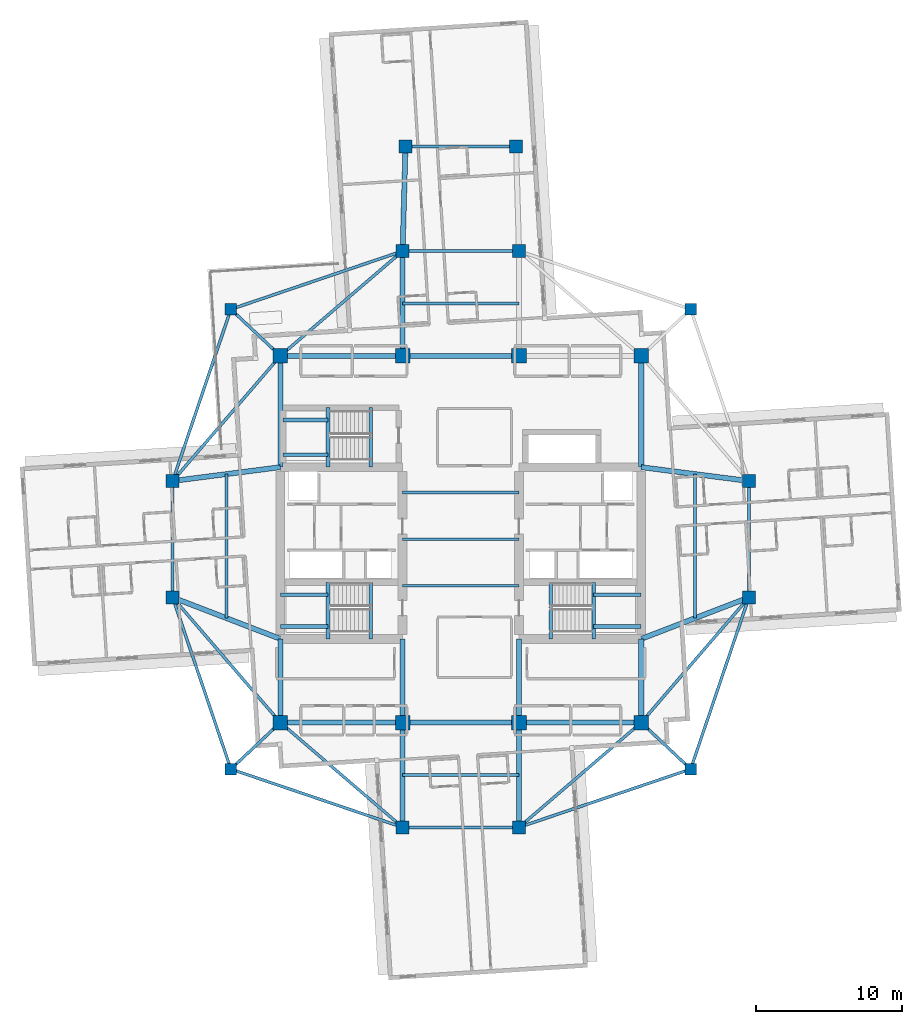
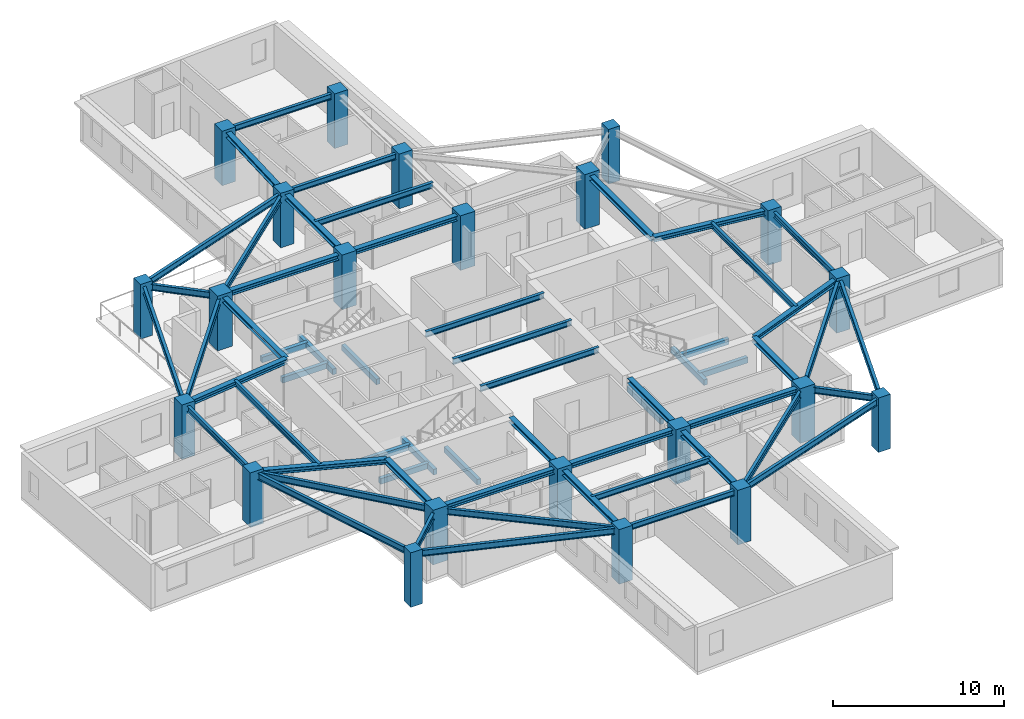
# One storey, part 1 of 13: 58 beams, 22 columns.
"""IFC4 building model written with IfcOpenShell, lengths in metres."""

from ifc_helpers import new_model, si_unit, direction, frame, origin, origin_2d, place, context, subcontext, project, spatial, rectangle, i_section, extrude, material, material_profile, profile_set, type_object, element, save


model = new_model("IFC4")

# Units and contexts
model_context = context("Model", 3, precision=1e-05, world=origin(), true_north=direction((0.0, 1.0)))
body_context = subcontext(model_context, "Body", "Model", "MODEL_VIEW")
ifc_project = project(units=[si_unit("LENGTHUNIT", "METRE"), si_unit("AREAUNIT", "SQUARE_METRE"), si_unit("VOLUMEUNIT", "CUBIC_METRE"), si_unit("PLANEANGLEUNIT", "RADIAN"), si_unit("MASSUNIT", "GRAM", prefix="KILO")], contexts=[model_context])

# Site, building, storey
site_placement = place(None, origin())
site = spatial("IfcSite", under=ifc_project, at=site_placement, CompositionType="ELEMENT")
building_placement = place(site_placement, origin())
building = spatial("IfcBuilding", under=site, at=building_placement, Name="Qingluan Cross Belvedere", CompositionType="ELEMENT")
storey_placement = place(building_placement, frame((0.0, 0.0, 201.300048828125)))
storey = spatial("IfcBuildingStorey", under=building, at=storey_placement, Name="L50", CompositionType="ELEMENT", Elevation=201.300048828125)

# Columns
ifc_material_1 = material(Name="Concrete C50", Category="concrete")
ifc_material_profile_1 = material_profile(ifc_material_1, rectangle(XDim=1.0, YDim=1.0, at=origin_2d()), Name="RC1000x1000")
ifc_profile_set_1 = profile_set([ifc_material_profile_1], Name="Concrete C50")
column_type_1 = type_object("IfcColumnType", Name="Column_RC1000x1000", PredefinedType="COLUMN", material=ifc_profile_set_1)
for number, where, z_axis, x_axis, name in (
    (1, (-12.39990234375, -12.60009765625, 0.0), (0.0, 0.0, 1.0), (1.0, 0.0, 0.0), "Hub column L50-HC1"),
    (2, (12.39990234375, -12.60009765625, 0.0), (0.0, 0.0, 1.0), (1.0, 0.0, 0.0), "Hub column L50-HC2"),
    (3, (12.39990234375, 12.60009765625, 0.0), (0.0, 0.0, 1.0), (1.0, 0.0, 0.0), "Hub column L50-HC3"),
    (4, (-12.39990234375, 12.60009765625, 0.0), (0.0, 0.0, 1.0), (1.0, 0.0, 0.0), "Hub column L50-HC4"),
    (5, (-4.0, -12.60009765625, 0.0), (0.0, 0.0, 1.0), (1.0, 0.0, 0.0), "Hub column L50-HC5"),
    (6, (4.0, -12.60009765625, 0.0), (0.0, 0.0, 1.0), (1.0, 0.0, 0.0), "Hub column L50-HC6"),
    (7, (4.0, 12.60009765625, 0.0), (0.0, 0.0, 1.0), (1.0, 0.0, 0.0), "Hub column L50-HC7"),
    (8, (-4.0, 12.60009765625, 0.0), (0.0, 0.0, 1.0), (1.0, 0.0, 0.0), "Hub column L50-HC8"),
):
    element("IfcColumn", number, at=place(storey_placement, frame(where, z_axis=z_axis, x_axis=x_axis)), inside=storey, type_object=column_type_1, Name=name, PredefinedType="COLUMN", context=body_context, shape_type="SweptSolid", body=[
        extrude(rectangle(XDim=1.0, YDim=1.0, at=origin_2d()), origin(), (0.0, 0.0, 1.0), 3.89990234375),
    ])
ifc_material_2 = material(Name="Concrete C50", Category="concrete")
ifc_material_profile_2 = material_profile(ifc_material_2, rectangle(XDim=0.800048828125, YDim=0.800048828125, at=origin_2d()), Name="RC800x800")
ifc_profile_set_2 = profile_set([ifc_material_profile_2], Name="Concrete C50")
column_type_2 = type_object("IfcColumnType", Name="Column_RC800x800", PredefinedType="COLUMN", material=ifc_profile_set_2)
for number, where, z_axis, x_axis, name in (
    (9, (15.800048828125, 15.800048828125, 0.0), (0.0, 0.0, 1.0), (1.0, 0.0, 0.0), "Corner column L50-RNE"),
    (10, (-15.800048828125, 15.800048828125, 0.0), (0.0, 0.0, 1.0), (1.0, 0.0, 0.0), "Corner column L50-RNW"),
    (11, (-15.800048828125, -15.800048828125, 0.0), (0.0, 0.0, 1.0), (1.0, 0.0, 0.0), "Corner column L50-RSW"),
    (12, (15.800048828125, -15.800048828125, 0.0), (0.0, 0.0, 1.0), (1.0, 0.0, 0.0), "Corner column L50-RSE"),
):
    element("IfcColumn", number, at=place(storey_placement, frame(where, z_axis=z_axis, x_axis=x_axis)), inside=storey, type_object=column_type_2, Name=name, PredefinedType="COLUMN", context=body_context, shape_type="SweptSolid", body=[
        extrude(rectangle(XDim=0.800048828125, YDim=0.800048828125, at=origin_2d()), origin(), (0.0, 0.0, 1.0), 3.89990234375),
    ])
ifc_material_3 = material(Name="Concrete C50", Category="concrete")
ifc_material_profile_3 = material_profile(ifc_material_3, rectangle(XDim=0.89990234375, YDim=0.89990234375, at=origin_2d()), Name="RC900x900")
ifc_profile_set_3 = profile_set([ifc_material_profile_3], Name="Concrete C50")
column_type_3 = type_object("IfcColumnType", Name="Column_RC900x900", PredefinedType="COLUMN", material=ifc_profile_set_3)
for number, where, z_axis, x_axis, name in (
    (13, (19.800048828125, -4.0, 0.0), (0.0, 0.0, 1.0), (1.0, 0.0, 0.0), "Arm column L50-EIA"),
    (14, (19.800048828125, 4.0, 0.0), (0.0, 0.0, 1.0), (1.0, 0.0, 0.0), "Arm column L50-EIB"),
    (15, (-19.800048828125, -4.0, 0.0), (0.0, 0.0, 1.0), (1.0, 0.0, 0.0), "Arm column L50-WIA"),
    (16, (-19.800048828125, 4.0, 0.0), (0.0, 0.0, 1.0), (1.0, 0.0, 0.0), "Arm column L50-WIB"),
    (17, (-4.0, -19.800048828125, 0.0), (0.0, 0.0, 1.0), (1.0, 0.0, 0.0), "Arm column L50-SIA"),
    (18, (4.0, -19.800048828125, 0.0), (0.0, 0.0, 1.0), (1.0, 0.0, 0.0), "Arm column L50-SIB"),
    (19, (-4.0, 19.800048828125, 0.0), (0.0, 0.0, 1.0), (1.0, 0.0, 0.0), "Arm column L50-NIA"),
    (20, (4.0, 19.800048828125, 0.0), (0.0, 0.0, 1.0), (1.0, 0.0, 0.0), "Arm column L50-NIB"),
    (21, (-3.800048828125, 27.0, 0.0), (0.0, 0.0, 1.0), (1.0, 0.0, 0.0), "Arm column L50-NOA"),
    (22, (3.800048828125, 27.0, 0.0), (0.0, 0.0, 1.0), (1.0, 0.0, 0.0), "Arm column L50-NOB"),
):
    element("IfcColumn", number, at=place(storey_placement, frame(where, z_axis=z_axis, x_axis=x_axis)), inside=storey, type_object=column_type_3, Name=name, PredefinedType="COLUMN", context=body_context, shape_type="SweptSolid", body=[
        extrude(rectangle(XDim=0.89990234375, YDim=0.89990234375, at=origin_2d()), origin(), (0.0, 0.0, 1.0), 3.89990234375),
    ])

# Beams
ifc_material_4 = material(Name="Concrete C45", Category="concrete")
ifc_material_profile_4 = material_profile(ifc_material_4, rectangle(XDim=0.25, YDim=0.39990234375, at=origin_2d()), Name="RC250x400")
ifc_profile_set_4 = profile_set([ifc_material_profile_4], Name="Concrete C45")
beam_type_1 = type_object("IfcBeamType", Name="RC_Lintel_RC250x400", PredefinedType="LINTEL", material=ifc_profile_set_4)
for number, where, z_axis, x_axis, name in (
    (23, (-6.179931640625, -6.85009765625, -0.199951171875), (0.0, 1.0, 0.0), (-1.0, 0.0, 0.0), "Stair ST1 landing beam L50"),
    (24, (6.179931640625, -6.85009765625, -0.199951171875), (0.0, 1.0, 0.0), (-1.0, 0.0, 0.0), "Stair ST2 landing beam L50"),
):
    element("IfcBeam", number, at=place(storey_placement, frame(where, z_axis=z_axis, x_axis=x_axis)), inside=storey, type_object=beam_type_1, Name=name, PredefinedType="LINTEL", context=body_context, shape_type="SweptSolid", body=[
        extrude(rectangle(XDim=0.25, YDim=0.39990234375, at=origin_2d()), origin(), (0.0, 0.0, 1.0), 3.89013671875),
    ])
beam_1_placement = place(storey_placement, frame((-6.179931640625, 4.949951171875, -0.199951171875), z_axis=(0.0, 1.0, 0.0), x_axis=(-1.0, 0.0, 0.0)))
element("IfcBeam", 25, at=beam_1_placement, inside=storey, type_object=beam_type_1, Name="Stair ST3 landing beam L50", PredefinedType="LINTEL", context=body_context, shape_type="SweptSolid", body=[
    extrude(rectangle(XDim=0.25, YDim=0.39990234375, at=origin_2d()), origin(), (0.0, 0.0, 1.0), 4.090087890625),
])
beam_2_placement = place(storey_placement, frame((-9.1298828125, -6.85009765625, 1.550048828125), z_axis=(0.0, 1.0, 0.0), x_axis=(-1.0, 0.0, 0.0)))
element("IfcBeam", 26, at=beam_2_placement, inside=storey, type_object=beam_type_1, Name="Stair ST1 beam A L50", PredefinedType="LINTEL", context=body_context, shape_type="SweptSolid", body=[
    extrude(rectangle(XDim=0.25, YDim=0.39990234375, at=origin_2d()), origin(), (0.0, 0.0, 1.0), 3.89013671875),
])
for number, where, z_axis, x_axis, name in (
    (27, (-12.39990234375, -6.0, 1.550048828125), (1.0, 0.0, 0.0), (0.0, 1.0, 0.0), "Stair ST1 beam B L50"),
    (28, (-12.39990234375, -3.81005859375, 1.550048828125), (1.0, 0.0, 0.0), (0.0, 1.0, 0.0), "Stair ST1 beam C L50"),
):
    element("IfcBeam", number, at=place(storey_placement, frame(where, z_axis=z_axis, x_axis=x_axis)), inside=storey, type_object=beam_type_1, Name=name, PredefinedType="LINTEL", context=body_context, shape_type="SweptSolid", body=[
        extrude(rectangle(XDim=0.25, YDim=0.39990234375, at=origin_2d()), origin(), (0.0, 0.0, 1.0), 3.27001953125),
    ])
beam_3_placement = place(storey_placement, frame((9.1298828125, -6.85009765625, 1.550048828125), z_axis=(0.0, 1.0, 0.0), x_axis=(-1.0, 0.0, 0.0)))
element("IfcBeam", 29, at=beam_3_placement, inside=storey, type_object=beam_type_1, Name="Stair ST2 beam A L50", PredefinedType="LINTEL", context=body_context, shape_type="SweptSolid", body=[
    extrude(rectangle(XDim=0.25, YDim=0.39990234375, at=origin_2d()), origin(), (0.0, 0.0, 1.0), 3.89013671875),
])
for number, where, z_axis, x_axis, name in (
    (30, (12.39990234375, -6.0, 1.550048828125), (-1.0, 0.0, 0.0), (0.0, -1.0, 0.0), "Stair ST2 beam B L50"),
    (31, (12.39990234375, -3.81005859375, 1.550048828125), (-1.0, 0.0, 0.0), (0.0, -1.0, 0.0), "Stair ST2 beam C L50"),
):
    element("IfcBeam", number, at=place(storey_placement, frame(where, z_axis=z_axis, x_axis=x_axis)), inside=storey, type_object=beam_type_1, Name=name, PredefinedType="LINTEL", context=body_context, shape_type="SweptSolid", body=[
        extrude(rectangle(XDim=0.25, YDim=0.39990234375, at=origin_2d()), origin(), (0.0, 0.0, 1.0), 3.27001953125),
    ])
beam_4_placement = place(storey_placement, frame((-9.1298828125, 4.949951171875, 1.550048828125), z_axis=(0.0, 1.0, 0.0), x_axis=(-1.0, 0.0, 0.0)))
element("IfcBeam", 32, at=beam_4_placement, inside=storey, type_object=beam_type_1, Name="Stair ST3 beam A L50", PredefinedType="LINTEL", context=body_context, shape_type="SweptSolid", body=[
    extrude(rectangle(XDim=0.25, YDim=0.39990234375, at=origin_2d()), origin(), (0.0, 0.0, 1.0), 4.090087890625),
])
for number, where, z_axis, x_axis, name in (
    (33, (-12.219970703125, 5.800048828125, 1.550048828125), (1.0, 0.0, 0.0), (0.0, 1.0, 0.0), "Stair ST3 beam B L50"),
    (34, (-12.219970703125, 8.18994140625, 1.550048828125), (1.0, 0.0, 0.0), (0.0, 1.0, 0.0), "Stair ST3 beam C L50"),
):
    element("IfcBeam", number, at=place(storey_placement, frame(where, z_axis=z_axis, x_axis=x_axis)), inside=storey, type_object=beam_type_1, Name=name, PredefinedType="LINTEL", context=body_context, shape_type="SweptSolid", body=[
        extrude(rectangle(XDim=0.25, YDim=0.39990234375, at=origin_2d()), origin(), (0.0, 0.0, 1.0), 3.090087890625),
    ])
ifc_material_5 = material(Name="Steel Q420GJB", Category="steel")
ifc_material_profile_5 = material_profile(ifc_material_5, i_section(OverallWidth=0.199951171875, OverallDepth=0.39990234375, WebThickness=0.008056640625, FlangeThickness=0.012939453125, FilletRadius=0.012939453125, at=origin_2d()), Name="HN400x200x8x13")
ifc_profile_set_5 = profile_set([ifc_material_profile_5], Name="Steel Q420GJB")
beam_type_2 = type_object("IfcBeamType", Name="Steel_Beam_HN400x200x8x13", PredefinedType="JOIST", material=ifc_profile_set_5)
for number, where, z_axis, x_axis, name in (
    (35, (-4.0, -3.199951171875, 3.5), (1.0, 0.0, 0.0), (0.0, 1.0, 0.0), "Hall beam L50-CH1"),
    (36, (-4.0, 0.0, 3.5), (1.0, 0.0, 0.0), (0.0, 1.0, 0.0), "Hall beam L50-CH2"),
    (37, (-4.0, 3.199951171875, 3.5), (1.0, 0.0, 0.0), (0.0, 1.0, 0.0), "Hall beam L50-CH3"),
    (38, (19.800048828125, -4.0, 3.5), (0.0, 1.0, 0.0), (-1.0, 0.0, 0.0), "Arm E tie L50"),
):
    element("IfcBeam", number, at=place(storey_placement, frame(where, z_axis=z_axis, x_axis=x_axis)), inside=storey, type_object=beam_type_2, Name=name, PredefinedType="JOIST", context=body_context, shape_type="SweptSolid", body=[
        extrude(i_section(OverallWidth=0.199951171875, OverallDepth=0.39990234375, WebThickness=0.008056640625, FlangeThickness=0.012939453125, FilletRadius=0.012939453125, at=origin_2d()), origin(), (0.0, 0.0, 1.0), 8.0),
    ])
beam_5_placement = place(storey_placement, frame((16.10009765625, -5.425048828125, 3.5), z_axis=(0.0, 1.0, 0.0), x_axis=(-1.0, 0.0, 0.0)))
element("IfcBeam", 39, at=beam_5_placement, inside=storey, type_object=beam_type_2, Name="Arm E beam L50", PredefinedType="JOIST", context=body_context, shape_type="SweptSolid", body=[
    extrude(i_section(OverallWidth=0.199951171875, OverallDepth=0.39990234375, WebThickness=0.008056640625, FlangeThickness=0.012939453125, FilletRadius=0.012939453125, at=origin_2d()), origin(), (0.0, 0.0, 1.0), 9.900146484375),
])
beam_6_placement = place(storey_placement, frame((-19.800048828125, -4.0, 3.5), z_axis=(0.0, 1.0, 0.0), x_axis=(-1.0, 0.0, 0.0)))
element("IfcBeam", 40, at=beam_6_placement, inside=storey, type_object=beam_type_2, Name="Arm W tie L50", PredefinedType="JOIST", context=body_context, shape_type="SweptSolid", body=[
    extrude(i_section(OverallWidth=0.199951171875, OverallDepth=0.39990234375, WebThickness=0.008056640625, FlangeThickness=0.012939453125, FilletRadius=0.012939453125, at=origin_2d()), origin(), (0.0, 0.0, 1.0), 8.0),
])
beam_7_placement = place(storey_placement, frame((-16.10009765625, -5.425048828125, 3.5), z_axis=(0.0, 1.0, 0.0), x_axis=(-1.0, 0.0, 0.0)))
element("IfcBeam", 41, at=beam_7_placement, inside=storey, type_object=beam_type_2, Name="Arm W beam L50", PredefinedType="JOIST", context=body_context, shape_type="SweptSolid", body=[
    extrude(i_section(OverallWidth=0.199951171875, OverallDepth=0.39990234375, WebThickness=0.008056640625, FlangeThickness=0.012939453125, FilletRadius=0.012939453125, at=origin_2d()), origin(), (0.0, 0.0, 1.0), 9.900146484375),
])
for number, where, z_axis, x_axis, name in (
    (42, (-4.0, 19.800048828125, 3.5), (1.0, 0.0, 0.0), (0.0, 1.0, 0.0), "Arm N tie L50"),
    (43, (-4.0, 16.199951171875, 3.5), (1.0, 0.0, 0.0), (0.0, 1.0, 0.0), "Arm N beam L50"),
):
    element("IfcBeam", number, at=place(storey_placement, frame(where, z_axis=z_axis, x_axis=x_axis)), inside=storey, type_object=beam_type_2, Name=name, PredefinedType="JOIST", context=body_context, shape_type="SweptSolid", body=[
        extrude(i_section(OverallWidth=0.199951171875, OverallDepth=0.39990234375, WebThickness=0.008056640625, FlangeThickness=0.012939453125, FilletRadius=0.012939453125, at=origin_2d()), origin(), (0.0, 0.0, 1.0), 8.0),
    ])
beam_8_placement = place(storey_placement, frame((-3.800048828125, 27.0, 3.5), z_axis=(1.0, 0.0, 0.0), x_axis=(0.0, 1.0, 0.0)))
element("IfcBeam", 44, at=beam_8_placement, inside=storey, type_object=beam_type_2, Name="Arm N tip transverse beam L50", PredefinedType="JOIST", context=body_context, shape_type="SweptSolid", body=[
    extrude(i_section(OverallWidth=0.199951171875, OverallDepth=0.39990234375, WebThickness=0.008056640625, FlangeThickness=0.012939453125, FilletRadius=0.012939453125, at=origin_2d()), origin(), (0.0, 0.0, 1.0), 7.60009765625),
])
for number, where, z_axis, x_axis, name in (
    (45, (-4.0, -19.800048828125, 3.5), (1.0, 0.0, 0.0), (0.0, 1.0, 0.0), "Arm S tie L50"),
    (46, (-4.0, -16.199951171875, 3.5), (1.0, 0.0, 0.0), (0.0, 1.0, 0.0), "Arm S beam L50"),
):
    element("IfcBeam", number, at=place(storey_placement, frame(where, z_axis=z_axis, x_axis=x_axis)), inside=storey, type_object=beam_type_2, Name=name, PredefinedType="JOIST", context=body_context, shape_type="SweptSolid", body=[
        extrude(i_section(OverallWidth=0.199951171875, OverallDepth=0.39990234375, WebThickness=0.008056640625, FlangeThickness=0.012939453125, FilletRadius=0.012939453125, at=origin_2d()), origin(), (0.0, 0.0, 1.0), 8.0),
    ])
ifc_material_6 = material(Name="Steel Q420GJB", Category="steel")
ifc_material_profile_6 = material_profile(ifc_material_6, i_section(OverallWidth=0.199951171875, OverallDepth=0.449951171875, WebThickness=0.009033203125, FlangeThickness=0.013916015625, FilletRadius=0.01611328125, at=origin_2d()), Name="HN450x200x9x14")
ifc_profile_set_6 = profile_set([ifc_material_profile_6], Name="Steel Q420GJB")
beam_type_3 = type_object("IfcBeamType", Name="Steel_Beam_HN450x200x9x14", PredefinedType="JOIST", material=ifc_profile_set_6)
beam_9_placement = place(storey_placement, frame((-12.39990234375, 12.60009765625, 3.454833984375), z_axis=(-0.728219948308, 0.685343495546, 0.0), x_axis=(-0.685343495546, -0.728219948308, 0.0)))
element("IfcBeam", 47, at=beam_9_placement, inside=storey, type_object=beam_type_3, Name="Corner beam 1 L50-RNW", PredefinedType="JOIST", context=body_context, shape_type="SweptSolid", body=[
    extrude(i_section(OverallWidth=0.199951171875, OverallDepth=0.449951171875, WebThickness=0.009033203125, FlangeThickness=0.013916015625, FilletRadius=0.01611328125, at=origin_2d()), origin(), (0.0, 0.0, 1.0), 4.669189453125),
])
for number, where, z_axis, x_axis, name in (
    (48, (-15.800048828125, 15.800048828125, 3.454833984375), (0.947066283324, 0.321038089628, 0.0), (-0.321038089628, 0.947066283324, 0.0), "Corner beam 2 L50-RNW"),
    (49, (-15.800048828125, 15.800048828125, 3.454833984375), (-0.321038089628, -0.947066283324, 0.0), (0.947066283324, -0.321038089628, 0.0), "Corner beam 3 L50-RNW"),
):
    element("IfcBeam", number, at=place(storey_placement, frame(where, z_axis=z_axis, x_axis=x_axis)), inside=storey, type_object=beam_type_3, Name=name, PredefinedType="JOIST", context=body_context, shape_type="SweptSolid", body=[
        extrude(i_section(OverallWidth=0.199951171875, OverallDepth=0.449951171875, WebThickness=0.009033203125, FlangeThickness=0.013916015625, FilletRadius=0.01611328125, at=origin_2d()), origin(), (0.0, 0.0, 1.0), 12.45947265625),
    ])
beam_10_placement = place(storey_placement, frame((-12.39990234375, 12.60009765625, 3.454833984375), z_axis=(-0.652245077546, -0.75800815221, 0.0), x_axis=(0.75800815221, -0.652245077546, 0.0)))
element("IfcBeam", 50, at=beam_10_placement, inside=storey, type_object=beam_type_3, Name="Corner beam 4 L50-RNW", PredefinedType="JOIST", context=body_context, shape_type="SweptSolid", body=[
    extrude(i_section(OverallWidth=0.199951171875, OverallDepth=0.449951171875, WebThickness=0.009033203125, FlangeThickness=0.013916015625, FilletRadius=0.01611328125, at=origin_2d()), origin(), (0.0, 0.0, 1.0), 11.345703125),
])
beam_11_placement = place(storey_placement, frame((-12.39990234375, 12.60009765625, 3.454833984375), z_axis=(0.759255044656, 0.650793190779, 0.0), x_axis=(-0.650793190779, 0.759255044656, 0.0)))
element("IfcBeam", 51, at=beam_11_placement, inside=storey, type_object=beam_type_3, Name="Corner beam 5 L50-RNW", PredefinedType="JOIST", context=body_context, shape_type="SweptSolid", body=[
    extrude(i_section(OverallWidth=0.199951171875, OverallDepth=0.449951171875, WebThickness=0.009033203125, FlangeThickness=0.013916015625, FilletRadius=0.01611328125, at=origin_2d()), origin(), (0.0, 0.0, 1.0), 11.063232421875),
])
beam_12_placement = place(storey_placement, frame((-12.39990234375, -12.60009765625, 3.474853515625), z_axis=(-0.728219948308, -0.685343495546, 0.0), x_axis=(0.685343495546, -0.728219948308, 0.0)))
element("IfcBeam", 52, at=beam_12_placement, inside=storey, type_object=beam_type_3, Name="Corner beam 1 L50-RSW", PredefinedType="JOIST", context=body_context, shape_type="SweptSolid", body=[
    extrude(i_section(OverallWidth=0.199951171875, OverallDepth=0.449951171875, WebThickness=0.009033203125, FlangeThickness=0.013916015625, FilletRadius=0.01611328125, at=origin_2d()), origin(), (0.0, 0.0, 1.0), 4.669189453125),
])
for number, where, z_axis, x_axis, name in (
    (53, (-15.800048828125, -15.800048828125, 3.474853515625), (0.947066283324, -0.321038089628, 0.0), (0.321038089628, 0.947066283324, 0.0), "Corner beam 2 L50-RSW"),
    (54, (-15.800048828125, -15.800048828125, 3.474853515625), (-0.321038089628, 0.947066283324, 0.0), (-0.947066283324, -0.321038089628, 0.0), "Corner beam 3 L50-RSW"),
):
    element("IfcBeam", number, at=place(storey_placement, frame(where, z_axis=z_axis, x_axis=x_axis)), inside=storey, type_object=beam_type_3, Name=name, PredefinedType="JOIST", context=body_context, shape_type="SweptSolid", body=[
        extrude(i_section(OverallWidth=0.199951171875, OverallDepth=0.449951171875, WebThickness=0.009033203125, FlangeThickness=0.013916015625, FilletRadius=0.01611328125, at=origin_2d()), origin(), (0.0, 0.0, 1.0), 12.45947265625),
    ])
beam_13_placement = place(storey_placement, frame((-12.39990234375, -12.60009765625, 3.474853515625), z_axis=(-0.652245077546, 0.75800815221, 0.0), x_axis=(-0.75800815221, -0.652245077546, 0.0)))
element("IfcBeam", 55, at=beam_13_placement, inside=storey, type_object=beam_type_3, Name="Corner beam 4 L50-RSW", PredefinedType="JOIST", context=body_context, shape_type="SweptSolid", body=[
    extrude(i_section(OverallWidth=0.199951171875, OverallDepth=0.449951171875, WebThickness=0.009033203125, FlangeThickness=0.013916015625, FilletRadius=0.01611328125, at=origin_2d()), origin(), (0.0, 0.0, 1.0), 11.345703125),
])
beam_14_placement = place(storey_placement, frame((-12.39990234375, -12.60009765625, 3.474853515625), z_axis=(0.759255044656, -0.650793190779, 0.0), x_axis=(0.650793190779, 0.759255044656, 0.0)))
element("IfcBeam", 56, at=beam_14_placement, inside=storey, type_object=beam_type_3, Name="Corner beam 5 L50-RSW", PredefinedType="JOIST", context=body_context, shape_type="SweptSolid", body=[
    extrude(i_section(OverallWidth=0.199951171875, OverallDepth=0.449951171875, WebThickness=0.009033203125, FlangeThickness=0.013916015625, FilletRadius=0.01611328125, at=origin_2d()), origin(), (0.0, 0.0, 1.0), 11.063232421875),
])
beam_15_placement = place(storey_placement, frame((12.39990234375, -12.60009765625, 3.474853515625), z_axis=(0.728219948308, -0.685343495546, 0.0), x_axis=(0.685343495546, 0.728219948308, 0.0)))
element("IfcBeam", 57, at=beam_15_placement, inside=storey, type_object=beam_type_3, Name="Corner beam 1 L50-RSE", PredefinedType="JOIST", context=body_context, shape_type="SweptSolid", body=[
    extrude(i_section(OverallWidth=0.199951171875, OverallDepth=0.449951171875, WebThickness=0.009033203125, FlangeThickness=0.013916015625, FilletRadius=0.01611328125, at=origin_2d()), origin(), (0.0, 0.0, 1.0), 4.669189453125),
])
for number, where, z_axis, x_axis, name in (
    (58, (15.800048828125, -15.800048828125, 3.474853515625), (-0.947066283324, -0.321038089628, 0.0), (0.321038089628, -0.947066283324, 0.0), "Corner beam 2 L50-RSE"),
    (59, (15.800048828125, -15.800048828125, 3.474853515625), (0.321038089628, 0.947066283324, 0.0), (-0.947066283324, 0.321038089628, 0.0), "Corner beam 3 L50-RSE"),
):
    element("IfcBeam", number, at=place(storey_placement, frame(where, z_axis=z_axis, x_axis=x_axis)), inside=storey, type_object=beam_type_3, Name=name, PredefinedType="JOIST", context=body_context, shape_type="SweptSolid", body=[
        extrude(i_section(OverallWidth=0.199951171875, OverallDepth=0.449951171875, WebThickness=0.009033203125, FlangeThickness=0.013916015625, FilletRadius=0.01611328125, at=origin_2d()), origin(), (0.0, 0.0, 1.0), 12.45947265625),
    ])
beam_16_placement = place(storey_placement, frame((12.39990234375, -12.60009765625, 3.474853515625), z_axis=(0.652245077546, 0.75800815221, 0.0), x_axis=(-0.75800815221, 0.652245077546, 0.0)))
element("IfcBeam", 60, at=beam_16_placement, inside=storey, type_object=beam_type_3, Name="Corner beam 4 L50-RSE", PredefinedType="JOIST", context=body_context, shape_type="SweptSolid", body=[
    extrude(i_section(OverallWidth=0.199951171875, OverallDepth=0.449951171875, WebThickness=0.009033203125, FlangeThickness=0.013916015625, FilletRadius=0.01611328125, at=origin_2d()), origin(), (0.0, 0.0, 1.0), 11.345703125),
])
beam_17_placement = place(storey_placement, frame((12.39990234375, -12.60009765625, 3.474853515625), z_axis=(-0.759255044656, -0.650793190779, 0.0), x_axis=(0.650793190779, -0.759255044656, 0.0)))
element("IfcBeam", 61, at=beam_17_placement, inside=storey, type_object=beam_type_3, Name="Corner beam 5 L50-RSE", PredefinedType="JOIST", context=body_context, shape_type="SweptSolid", body=[
    extrude(i_section(OverallWidth=0.199951171875, OverallDepth=0.449951171875, WebThickness=0.009033203125, FlangeThickness=0.013916015625, FilletRadius=0.01611328125, at=origin_2d()), origin(), (0.0, 0.0, 1.0), 11.063232421875),
])
ifc_material_7 = material(Name="Steel Q420GJB", Category="steel")
ifc_material_profile_7 = material_profile(ifc_material_7, i_section(OverallWidth=0.35009765625, OverallDepth=0.35009765625, WebThickness=0.011962890625, FlangeThickness=0.01904296875, FilletRadius=0.02001953125, at=origin_2d()), Name="HW350x350x12x19")
ifc_profile_set_7 = profile_set([ifc_material_profile_7], Name="Steel Q420GJB")
beam_type_4 = type_object("IfcBeamType", Name="Steel_Girder_HW350x350x12x19", PredefinedType="USERDEFINED", material=ifc_profile_set_7)
beam_18_placement = place(storey_placement, frame((-12.39990234375, -12.60009765625, 3.52490234375), z_axis=(1.0, 0.0, 0.0), x_axis=(0.0, 1.0, 0.0)))
element("IfcBeam", 62, at=beam_18_placement, inside=storey, type_object=beam_type_4, Name="Hub girder L50-HG-S1", ObjectType="GIRDER", PredefinedType="USERDEFINED", context=body_context, shape_type="SweptSolid", body=[
    extrude(i_section(OverallWidth=0.35009765625, OverallDepth=0.35009765625, WebThickness=0.011962890625, FlangeThickness=0.01904296875, FilletRadius=0.02001953125, at=origin_2d()), origin(), (0.0, 0.0, 1.0), 8.39990234375),
])
beam_19_placement = place(storey_placement, frame((-4.0, -12.60009765625, 3.52490234375), z_axis=(1.0, 0.0, 0.0), x_axis=(0.0, 1.0, 0.0)))
element("IfcBeam", 63, at=beam_19_placement, inside=storey, type_object=beam_type_4, Name="Hub girder L50-HG-S2", ObjectType="GIRDER", PredefinedType="USERDEFINED", context=body_context, shape_type="SweptSolid", body=[
    extrude(i_section(OverallWidth=0.35009765625, OverallDepth=0.35009765625, WebThickness=0.011962890625, FlangeThickness=0.01904296875, FilletRadius=0.02001953125, at=origin_2d()), origin(), (0.0, 0.0, 1.0), 8.0),
])
for number, where, z_axis, x_axis, name in (
    (64, (4.0, -12.60009765625, 3.52490234375), (1.0, 0.0, 0.0), (0.0, 1.0, 0.0), "Hub girder L50-HG-S3"),
    (65, (-12.39990234375, 12.60009765625, 3.52490234375), (1.0, 0.0, 0.0), (0.0, 1.0, 0.0), "Hub girder L50-HG-N1"),
):
    element("IfcBeam", number, at=place(storey_placement, frame(where, z_axis=z_axis, x_axis=x_axis)), inside=storey, type_object=beam_type_4, Name=name, ObjectType="GIRDER", PredefinedType="USERDEFINED", context=body_context, shape_type="SweptSolid", body=[
        extrude(i_section(OverallWidth=0.35009765625, OverallDepth=0.35009765625, WebThickness=0.011962890625, FlangeThickness=0.01904296875, FilletRadius=0.02001953125, at=origin_2d()), origin(), (0.0, 0.0, 1.0), 8.39990234375),
    ])
beam_20_placement = place(storey_placement, frame((-4.0, 12.60009765625, 3.52490234375), z_axis=(1.0, 0.0, 0.0), x_axis=(0.0, 1.0, 0.0)))
element("IfcBeam", 66, at=beam_20_placement, inside=storey, type_object=beam_type_4, Name="Hub girder L50-HG-N2", ObjectType="GIRDER", PredefinedType="USERDEFINED", context=body_context, shape_type="SweptSolid", body=[
    extrude(i_section(OverallWidth=0.35009765625, OverallDepth=0.35009765625, WebThickness=0.011962890625, FlangeThickness=0.01904296875, FilletRadius=0.02001953125, at=origin_2d()), origin(), (0.0, 0.0, 1.0), 8.0),
])
beam_21_placement = place(storey_placement, frame((-12.39990234375, -12.60009765625, 3.52490234375), z_axis=(0.0, 1.0, 0.0), x_axis=(-1.0, 0.0, 0.0)))
element("IfcBeam", 67, at=beam_21_placement, inside=storey, type_object=beam_type_4, Name="Hub girder L50-HG-W1", ObjectType="GIRDER", PredefinedType="USERDEFINED", context=body_context, shape_type="SweptSolid", body=[
    extrude(i_section(OverallWidth=0.35009765625, OverallDepth=0.35009765625, WebThickness=0.011962890625, FlangeThickness=0.01904296875, FilletRadius=0.02001953125, at=origin_2d()), origin(), (0.0, 0.0, 1.0), 5.75),
])
beam_22_placement = place(storey_placement, frame((-12.39990234375, 4.949951171875, 3.52490234375), z_axis=(0.0, 1.0, 0.0), x_axis=(-1.0, 0.0, 0.0)))
element("IfcBeam", 68, at=beam_22_placement, inside=storey, type_object=beam_type_4, Name="Hub girder L50-HG-W2", ObjectType="GIRDER", PredefinedType="USERDEFINED", context=body_context, shape_type="SweptSolid", body=[
    extrude(i_section(OverallWidth=0.35009765625, OverallDepth=0.35009765625, WebThickness=0.011962890625, FlangeThickness=0.01904296875, FilletRadius=0.02001953125, at=origin_2d()), origin(), (0.0, 0.0, 1.0), 7.650146484375),
])
beam_23_placement = place(storey_placement, frame((12.39990234375, -12.60009765625, 3.52490234375), z_axis=(0.0, 1.0, 0.0), x_axis=(-1.0, 0.0, 0.0)))
element("IfcBeam", 69, at=beam_23_placement, inside=storey, type_object=beam_type_4, Name="Hub girder L50-HG-E1", ObjectType="GIRDER", PredefinedType="USERDEFINED", context=body_context, shape_type="SweptSolid", body=[
    extrude(i_section(OverallWidth=0.35009765625, OverallDepth=0.35009765625, WebThickness=0.011962890625, FlangeThickness=0.01904296875, FilletRadius=0.02001953125, at=origin_2d()), origin(), (0.0, 0.0, 1.0), 5.75),
])
beam_24_placement = place(storey_placement, frame((12.39990234375, 4.949951171875, 3.52490234375), z_axis=(0.0, 1.0, 0.0), x_axis=(-1.0, 0.0, 0.0)))
element("IfcBeam", 70, at=beam_24_placement, inside=storey, type_object=beam_type_4, Name="Hub girder L50-HG-E2", ObjectType="GIRDER", PredefinedType="USERDEFINED", context=body_context, shape_type="SweptSolid", body=[
    extrude(i_section(OverallWidth=0.35009765625, OverallDepth=0.35009765625, WebThickness=0.011962890625, FlangeThickness=0.01904296875, FilletRadius=0.02001953125, at=origin_2d()), origin(), (0.0, 0.0, 1.0), 7.650146484375),
])
for number, where, z_axis, x_axis, name in (
    (71, (-4.0, -12.60009765625, 3.52490234375), (0.0, 1.0, 0.0), (-1.0, 0.0, 0.0), "Hub girder L50-HG-CW"),
    (72, (4.0, -12.60009765625, 3.52490234375), (0.0, 1.0, 0.0), (-1.0, 0.0, 0.0), "Hub girder L50-HG-CE"),
):
    element("IfcBeam", number, at=place(storey_placement, frame(where, z_axis=z_axis, x_axis=x_axis)), inside=storey, type_object=beam_type_4, Name=name, ObjectType="GIRDER", PredefinedType="USERDEFINED", context=body_context, shape_type="SweptSolid", body=[
        extrude(i_section(OverallWidth=0.35009765625, OverallDepth=0.35009765625, WebThickness=0.011962890625, FlangeThickness=0.01904296875, FilletRadius=0.02001953125, at=origin_2d()), origin(), (0.0, 0.0, 1.0), 5.75),
    ])
beam_25_placement = place(storey_placement, frame((12.39990234375, -6.85009765625, 3.52490234375), z_axis=(0.933181258889, 0.359406090735, 0.0), x_axis=(-0.359406090735, 0.933181258889, 0.0)))
element("IfcBeam", 73, at=beam_25_placement, inside=storey, type_object=beam_type_4, Name="Arm E radial girder A L50", ObjectType="GIRDER", PredefinedType="USERDEFINED", context=body_context, shape_type="SweptSolid", body=[
    extrude(i_section(OverallWidth=0.35009765625, OverallDepth=0.35009765625, WebThickness=0.011962890625, FlangeThickness=0.01904296875, FilletRadius=0.02001953125, at=origin_2d()), origin(), (0.0, 0.0, 1.0), 7.929931640625),
])
beam_26_placement = place(storey_placement, frame((12.39990234375, 4.949951171875, 3.52490234375), z_axis=(0.991861120628, -0.12732445714, 0.0), x_axis=(0.12732445714, 0.991861120628, 0.0)))
element("IfcBeam", 74, at=beam_26_placement, inside=storey, type_object=beam_type_4, Name="Arm E radial girder B L50", ObjectType="GIRDER", PredefinedType="USERDEFINED", context=body_context, shape_type="SweptSolid", body=[
    extrude(i_section(OverallWidth=0.35009765625, OverallDepth=0.35009765625, WebThickness=0.011962890625, FlangeThickness=0.01904296875, FilletRadius=0.02001953125, at=origin_2d()), origin(), (0.0, 0.0, 1.0), 7.4609375),
])
beam_27_placement = place(storey_placement, frame((-12.39990234375, -6.85009765625, 3.52490234375), z_axis=(-0.933181258889, 0.359406090735, 0.0), x_axis=(-0.359406090735, -0.933181258889, 0.0)))
element("IfcBeam", 75, at=beam_27_placement, inside=storey, type_object=beam_type_4, Name="Arm W radial girder A L50", ObjectType="GIRDER", PredefinedType="USERDEFINED", context=body_context, shape_type="SweptSolid", body=[
    extrude(i_section(OverallWidth=0.35009765625, OverallDepth=0.35009765625, WebThickness=0.011962890625, FlangeThickness=0.01904296875, FilletRadius=0.02001953125, at=origin_2d()), origin(), (0.0, 0.0, 1.0), 7.929931640625),
])
beam_28_placement = place(storey_placement, frame((-12.39990234375, 4.949951171875, 3.52490234375), z_axis=(-0.991861120628, -0.12732445714, 0.0), x_axis=(0.12732445714, -0.991861120628, 0.0)))
element("IfcBeam", 76, at=beam_28_placement, inside=storey, type_object=beam_type_4, Name="Arm W radial girder B L50", ObjectType="GIRDER", PredefinedType="USERDEFINED", context=body_context, shape_type="SweptSolid", body=[
    extrude(i_section(OverallWidth=0.35009765625, OverallDepth=0.35009765625, WebThickness=0.011962890625, FlangeThickness=0.01904296875, FilletRadius=0.02001953125, at=origin_2d()), origin(), (0.0, 0.0, 1.0), 7.4609375),
])
beam_29_placement = place(storey_placement, frame((-4.0, 12.60009765625, 3.52490234375), z_axis=(0.0, 1.0, 0.0), x_axis=(-1.0, 0.0, 0.0)))
element("IfcBeam", 77, at=beam_29_placement, inside=storey, type_object=beam_type_4, Name="Arm N radial girder A L50", ObjectType="GIRDER", PredefinedType="USERDEFINED", context=body_context, shape_type="SweptSolid", body=[
    extrude(i_section(OverallWidth=0.35009765625, OverallDepth=0.35009765625, WebThickness=0.011962890625, FlangeThickness=0.01904296875, FilletRadius=0.02001953125, at=origin_2d()), origin(), (0.0, 0.0, 1.0), 7.199951171875),
])
beam_30_placement = place(storey_placement, frame((-4.0, 19.800048828125, 3.52490234375), z_axis=(0.027760481514, 0.999614603568, 0.0), x_axis=(-0.999614603568, 0.027760481514, 0.0)))
element("IfcBeam", 78, at=beam_30_placement, inside=storey, type_object=beam_type_4, Name="Arm N outer radial girder A L50", ObjectType="GIRDER", PredefinedType="USERDEFINED", context=body_context, shape_type="SweptSolid", body=[
    extrude(i_section(OverallWidth=0.35009765625, OverallDepth=0.35009765625, WebThickness=0.011962890625, FlangeThickness=0.01904296875, FilletRadius=0.02001953125, at=origin_2d()), origin(), (0.0, 0.0, 1.0), 7.20263671875),
])
for number, where, z_axis, x_axis, name in (
    (79, (-4.0, -12.60009765625, 3.52490234375), (0.0, -1.0, 0.0), (1.0, 0.0, 0.0), "Arm S radial girder A L50"),
    (80, (4.0, -12.60009765625, 3.52490234375), (0.0, -1.0, 0.0), (1.0, 0.0, 0.0), "Arm S radial girder B L50"),
):
    element("IfcBeam", number, at=place(storey_placement, frame(where, z_axis=z_axis, x_axis=x_axis)), inside=storey, type_object=beam_type_4, Name=name, ObjectType="GIRDER", PredefinedType="USERDEFINED", context=body_context, shape_type="SweptSolid", body=[
        extrude(i_section(OverallWidth=0.35009765625, OverallDepth=0.35009765625, WebThickness=0.011962890625, FlangeThickness=0.01904296875, FilletRadius=0.02001953125, at=origin_2d()), origin(), (0.0, 0.0, 1.0), 7.199951171875),
    ])

save(model, "model.ifc")
